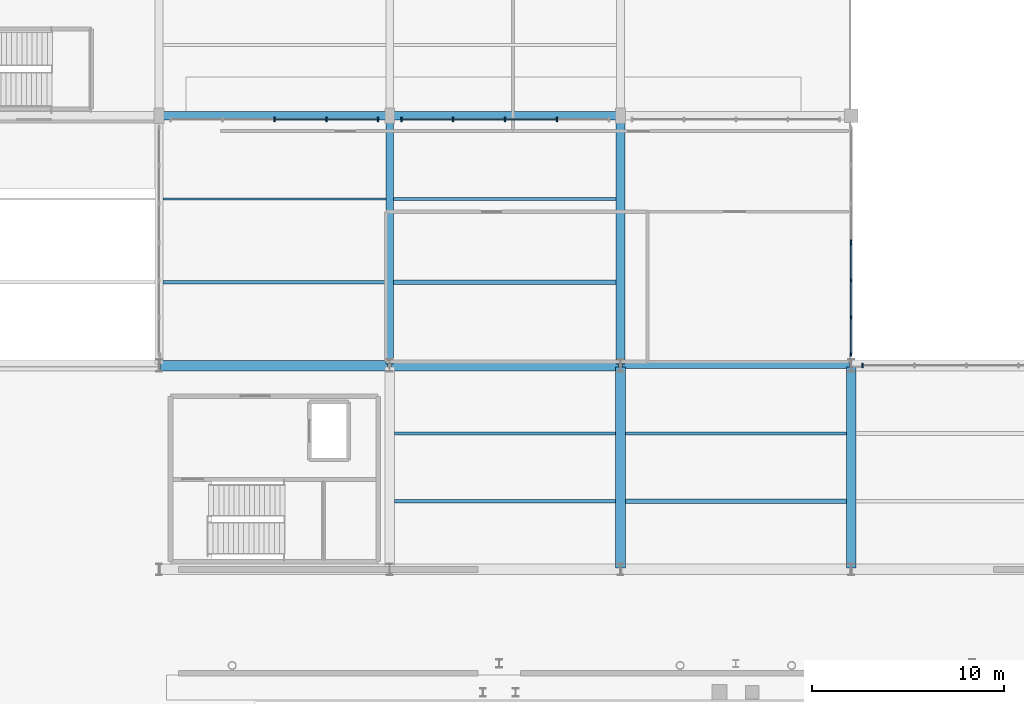
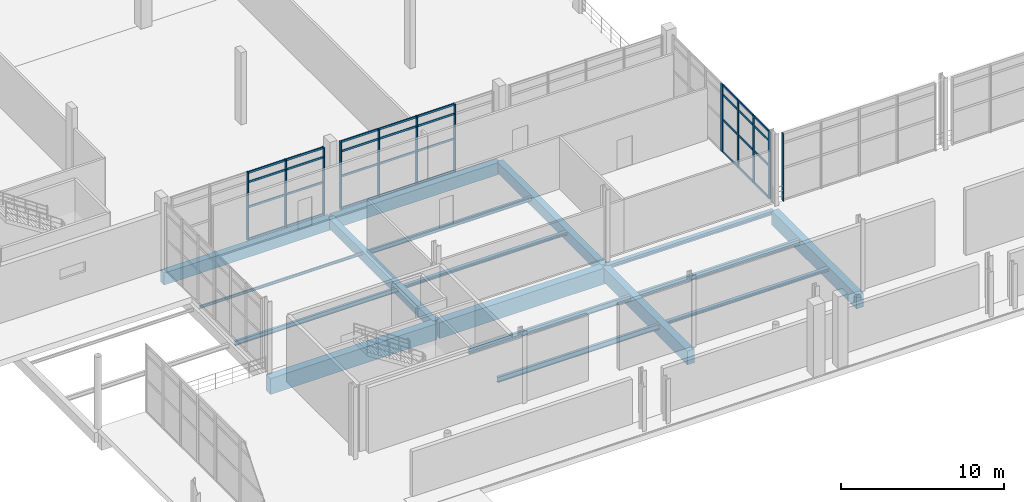
# One storey, part 26 of 85: 45 members, 17 beams, 5 elements without a shape of their own.
"""IFC4 building model written with IfcOpenShell, lengths in metres."""

from ifc_helpers import new_model, si_unit, direction, frame, origin, origin_2d, place, context, subcontext, project, spatial, rectangle, i_section, extrude, material, material_profile, profile_set, type_object, element, aggregate, save


model = new_model("IFC4")

# Units and contexts
model_context = context("Model", 3, precision=1e-05, world=origin(), true_north=direction((0.0, 1.0)))
body_context = subcontext(model_context, "Body", "Model", "MODEL_VIEW")
ifc_project = project(units=[si_unit("LENGTHUNIT", "METRE"), si_unit("AREAUNIT", "SQUARE_METRE"), si_unit("VOLUMEUNIT", "CUBIC_METRE"), si_unit("PLANEANGLEUNIT", "RADIAN"), si_unit("MASSUNIT", "GRAM", prefix="KILO"), si_unit("THERMODYNAMICTEMPERATUREUNIT", "KELVIN"), si_unit("POWERUNIT", "WATT")], contexts=[model_context])

# Site, building, storey
site_placement = place(None, origin())
site = spatial("IfcSite", under=ifc_project, at=site_placement, CompositionType="ELEMENT")
building_placement = place(site_placement, origin())
building = spatial("IfcBuilding", under=site, at=building_placement, Name="Solmara Park Aquatics Centre", CompositionType="ELEMENT")
storey_placement = place(building_placement, origin())
storey = spatial("IfcBuildingStorey", under=building, at=storey_placement, Name="L00", CompositionType="ELEMENT", Elevation=0.0)

# Curtain wall, member
ifc_material_1 = material(Name="Anodised Aluminium Curtain Wall Framing", Category="aluminium")
curtain_wall_type = type_object("IfcCurtainWallType", Name="ARC-CW-SYS02", PredefinedType="USERDEFINED", material=ifc_material_1)
curtain_wall_1_placement = place(storey_placement, origin())
curtain_wall_1 = element("IfcCurtainWall", 1, at=curtain_wall_1_placement, inside=storey, type_object=curtain_wall_type, Name="Curtain Wall CW-021", ObjectType="CURTAIN WALL", PredefinedType="USERDEFINED")
ifc_material_2 = material(Name="Anodised Aluminium Alloy 6063-T6", Category="aluminium")
ifc_material_profile_1 = material_profile(ifc_material_2, rectangle(XDim=0.074951171875, YDim=0.219970703125, at=origin_2d()), Name="ALU MULLION 75x220")
ifc_profile_set_1 = profile_set([ifc_material_profile_1], Name="Anodised Aluminium Alloy 6063-T6")
member_type_1 = type_object("IfcMemberType", Name="ARC-CWM-75x220", PredefinedType="MULLION", material=ifc_profile_set_1)
member_1_placement = place(storey_placement, frame((61.199951171875, 72.60009765625, 0.0), z_axis=(0.0, 0.0, 1.0), x_axis=(1.0, 0.0, 0.0)))
member_1 = element("IfcMember", 2, at=member_1_placement, type_object=member_type_1, Name="CW-021 mullion 1", PredefinedType="MULLION", context=body_context, shape_type="SweptSolid", body=[
    extrude(rectangle(XDim=0.074951171875, YDim=0.219970703125, at=origin_2d()), origin(), (0.0, 0.0, 1.0), 5.080078125),
])
aggregate(curtain_wall_1, [member_1])

# Curtain wall, members
curtain_wall_2_placement = place(storey_placement, origin())
curtain_wall_2 = element("IfcCurtainWall", 3, at=curtain_wall_2_placement, inside=storey, type_object=curtain_wall_type, Name="Curtain Wall CW-096", ObjectType="CURTAIN WALL", PredefinedType="USERDEFINED")
member_2_placement = place(storey_placement, frame((60.60009765625, 73.199951171875, 0.0), z_axis=(0.0, 0.0, 1.0), x_axis=(1.0, 0.0, 0.0)))
member_2 = element("IfcMember", 4, at=member_2_placement, type_object=member_type_1, Name="CW-096 mullion 1", PredefinedType="MULLION", context=body_context, shape_type="SweptSolid", body=[
    extrude(rectangle(XDim=0.074951171875, YDim=0.219970703125, at=origin_2d()), origin(), (0.0, 0.0, 1.0), 5.080078125),
])
member_3_placement = place(storey_placement, frame((60.60009765625, 75.1201171875, 0.0), z_axis=(0.0, 0.0, 1.0), x_axis=(1.0, 0.0, 0.0)))
member_3 = element("IfcMember", 5, at=member_3_placement, type_object=member_type_1, Name="CW-096 mullion 2", PredefinedType="MULLION", context=body_context, shape_type="SweptSolid", body=[
    extrude(rectangle(XDim=0.074951171875, YDim=0.219970703125, at=origin_2d()), origin(), (0.0, 0.0, 1.0), 5.080078125),
])
member_4_placement = place(storey_placement, frame((60.60009765625, 77.0400390625, 0.0), z_axis=(0.0, 0.0, 1.0), x_axis=(1.0, 0.0, 0.0)))
member_4 = element("IfcMember", 6, at=member_4_placement, type_object=member_type_1, Name="CW-096 mullion 3", PredefinedType="MULLION", context=body_context, shape_type="SweptSolid", body=[
    extrude(rectangle(XDim=0.074951171875, YDim=0.219970703125, at=origin_2d()), origin(), (0.0, 0.0, 1.0), 5.080078125),
])
member_5_placement = place(storey_placement, frame((60.60009765625, 78.9599609375, 0.0), z_axis=(0.0, 0.0, 1.0), x_axis=(1.0, 0.0, 0.0)))
member_5 = element("IfcMember", 7, at=member_5_placement, type_object=member_type_1, Name="CW-096 mullion 4", PredefinedType="MULLION", context=body_context, shape_type="SweptSolid", body=[
    extrude(rectangle(XDim=0.074951171875, YDim=0.219970703125, at=origin_2d()), origin(), (0.0, 0.0, 1.0), 5.080078125),
])

# Curtain wall, member
curtain_wall_3_placement = place(storey_placement, origin())
curtain_wall_3 = element("IfcCurtainWall", 8, at=curtain_wall_3_placement, inside=storey, type_object=curtain_wall_type, Name="Curtain Wall CW-100", ObjectType="CURTAIN WALL", PredefinedType="USERDEFINED")
member_6_placement = place(storey_placement, frame((60.60009765625, 79.0400390625, 0.0), z_axis=(0.0, 0.0, 1.0), x_axis=(1.0, 0.0, 0.0)))
member_6 = element("IfcMember", 9, at=member_6_placement, type_object=member_type_1, Name="CW-100 mullion 1", PredefinedType="MULLION", context=body_context, shape_type="SweptSolid", body=[
    extrude(rectangle(XDim=0.074951171875, YDim=0.219970703125, at=origin_2d()), origin(), (0.0, 0.0, 1.0), 5.080078125),
])
aggregate(curtain_wall_3, [member_6])

# Curtain wall, members
curtain_wall_4_placement = place(storey_placement, origin())
curtain_wall_4 = element("IfcCurtainWall", 10, at=curtain_wall_4_placement, inside=storey, type_object=curtain_wall_type, Name="Curtain Wall CW-107", ObjectType="CURTAIN WALL", PredefinedType="USERDEFINED")
member_7_placement = place(storey_placement, frame((30.60009765625, 85.39990234375, 0.0), z_axis=(0.0, 0.0, 1.0), x_axis=(1.0, 0.0, 0.0)))
member_7 = element("IfcMember", 11, at=member_7_placement, type_object=member_type_1, Name="CW-107 mullion 3", PredefinedType="MULLION", context=body_context, shape_type="SweptSolid", body=[
    extrude(rectangle(XDim=0.074951171875, YDim=0.219970703125, at=origin_2d()), origin(), (0.0, 0.0, 1.0), 5.080078125),
])
member_8_placement = place(storey_placement, frame((33.300048828125, 85.39990234375, 0.0), z_axis=(0.0, 0.0, 1.0), x_axis=(1.0, 0.0, 0.0)))
member_8 = element("IfcMember", 12, at=member_8_placement, type_object=member_type_1, Name="CW-107 mullion 4", PredefinedType="MULLION", context=body_context, shape_type="SweptSolid", body=[
    extrude(rectangle(XDim=0.074951171875, YDim=0.219970703125, at=origin_2d()), origin(), (0.0, 0.0, 1.0), 5.080078125),
])
member_9_placement = place(storey_placement, frame((36.0, 85.39990234375, 0.0), z_axis=(0.0, 0.0, 1.0), x_axis=(1.0, 0.0, 0.0)))
member_9 = element("IfcMember", 13, at=member_9_placement, type_object=member_type_1, Name="CW-107 mullion 5", PredefinedType="MULLION", context=body_context, shape_type="SweptSolid", body=[
    extrude(rectangle(XDim=0.074951171875, YDim=0.219970703125, at=origin_2d()), origin(), (0.0, 0.0, 1.0), 5.080078125),
])

curtain_wall_5_placement = place(storey_placement, origin())
curtain_wall_5 = element("IfcCurtainWall", 14, at=curtain_wall_5_placement, inside=storey, type_object=curtain_wall_type, Name="Curtain Wall CW-108", ObjectType="CURTAIN WALL", PredefinedType="USERDEFINED")
member_10_placement = place(storey_placement, frame((37.199951171875, 85.39990234375, 0.0), z_axis=(0.0, 0.0, 1.0), x_axis=(1.0, 0.0, 0.0)))
member_10 = element("IfcMember", 15, at=member_10_placement, type_object=member_type_1, Name="CW-108 mullion 1", PredefinedType="MULLION", context=body_context, shape_type="SweptSolid", body=[
    extrude(rectangle(XDim=0.074951171875, YDim=0.219970703125, at=origin_2d()), origin(), (0.0, 0.0, 1.0), 5.080078125),
])
member_11_placement = place(storey_placement, frame((39.89990234375, 85.39990234375, 0.0), z_axis=(0.0, 0.0, 1.0), x_axis=(1.0, 0.0, 0.0)))
member_11 = element("IfcMember", 16, at=member_11_placement, type_object=member_type_1, Name="CW-108 mullion 2", PredefinedType="MULLION", context=body_context, shape_type="SweptSolid", body=[
    extrude(rectangle(XDim=0.074951171875, YDim=0.219970703125, at=origin_2d()), origin(), (0.0, 0.0, 1.0), 5.080078125),
])
member_12_placement = place(storey_placement, frame((42.60009765625, 85.39990234375, 0.0), z_axis=(0.0, 0.0, 1.0), x_axis=(1.0, 0.0, 0.0)))
member_12 = element("IfcMember", 17, at=member_12_placement, type_object=member_type_1, Name="CW-108 mullion 3", PredefinedType="MULLION", context=body_context, shape_type="SweptSolid", body=[
    extrude(rectangle(XDim=0.074951171875, YDim=0.219970703125, at=origin_2d()), origin(), (0.0, 0.0, 1.0), 5.080078125),
])
member_13_placement = place(storey_placement, frame((45.300048828125, 85.39990234375, 0.0), z_axis=(0.0, 0.0, 1.0), x_axis=(1.0, 0.0, 0.0)))
member_13 = element("IfcMember", 18, at=member_13_placement, type_object=member_type_1, Name="CW-108 mullion 4", PredefinedType="MULLION", context=body_context, shape_type="SweptSolid", body=[
    extrude(rectangle(XDim=0.074951171875, YDim=0.219970703125, at=origin_2d()), origin(), (0.0, 0.0, 1.0), 5.080078125),
])

# Member
ifc_material_profile_2 = material_profile(ifc_material_2, rectangle(XDim=0.074951171875, YDim=0.14990234375, at=origin_2d()), Name="ALU TRANSOM 75x150")
ifc_profile_set_2 = profile_set([ifc_material_profile_2], Name="Anodised Aluminium Alloy 6063-T6")
member_type_2 = type_object("IfcMemberType", Name="ARC-CWT-75x150", PredefinedType="USERDEFINED", material=ifc_profile_set_2)
member_14_placement = place(storey_placement, frame((60.60009765625, 73.219970703125, 0.0400390625), z_axis=(0.0, 1.0, 0.0), x_axis=(-1.0, 0.0, 0.0)))
member_14 = element("IfcMember", 19, at=member_14_placement, type_object=member_type_2, Name="CW-096 transom 1", ObjectType="TRANSOM", PredefinedType="USERDEFINED", context=body_context, shape_type="SweptSolid", body=[
    extrude(rectangle(XDim=0.074951171875, YDim=0.14990234375, at=origin_2d()), origin(), (0.0, 0.0, 1.0), 1.840087890625),
])

member_15_placement = place(storey_placement, frame((60.60009765625, 73.219970703125, 2.449951171875), z_axis=(0.0, 1.0, 0.0), x_axis=(-1.0, 0.0, 0.0)))
member_15 = element("IfcMember", 20, at=member_15_placement, type_object=member_type_2, Name="CW-096 transom 2", ObjectType="TRANSOM", PredefinedType="USERDEFINED", context=body_context, shape_type="SweptSolid", body=[
    extrude(rectangle(XDim=0.074951171875, YDim=0.14990234375, at=origin_2d()), origin(), (0.0, 0.0, 1.0), 1.840087890625),
])

member_16_placement = place(storey_placement, frame((60.60009765625, 73.219970703125, 4.330078125), z_axis=(0.0, 1.0, 0.0), x_axis=(-1.0, 0.0, 0.0)))
member_16 = element("IfcMember", 21, at=member_16_placement, type_object=member_type_2, Name="CW-096 transom 3", ObjectType="TRANSOM", PredefinedType="USERDEFINED", context=body_context, shape_type="SweptSolid", body=[
    extrude(rectangle(XDim=0.074951171875, YDim=0.14990234375, at=origin_2d()), origin(), (0.0, 0.0, 1.0), 1.840087890625),
])

member_17_placement = place(storey_placement, frame((60.60009765625, 73.219970703125, 5.0400390625), z_axis=(0.0, 1.0, 0.0), x_axis=(-1.0, 0.0, 0.0)))
member_17 = element("IfcMember", 22, at=member_17_placement, type_object=member_type_2, Name="CW-096 transom 4", ObjectType="TRANSOM", PredefinedType="USERDEFINED", context=body_context, shape_type="SweptSolid", body=[
    extrude(rectangle(XDim=0.074951171875, YDim=0.14990234375, at=origin_2d()), origin(), (0.0, 0.0, 1.0), 1.840087890625),
])

member_18_placement = place(storey_placement, frame((60.60009765625, 75.139892578125, 0.0400390625), z_axis=(0.0, 1.0, 0.0), x_axis=(-1.0, 0.0, 0.0)))
member_18 = element("IfcMember", 23, at=member_18_placement, type_object=member_type_2, Name="CW-096 transom 5", ObjectType="TRANSOM", PredefinedType="USERDEFINED", context=body_context, shape_type="SweptSolid", body=[
    extrude(rectangle(XDim=0.074951171875, YDim=0.14990234375, at=origin_2d()), origin(), (0.0, 0.0, 1.0), 1.840087890625),
])

member_19_placement = place(storey_placement, frame((60.60009765625, 75.139892578125, 2.449951171875), z_axis=(0.0, 1.0, 0.0), x_axis=(-1.0, 0.0, 0.0)))
member_19 = element("IfcMember", 24, at=member_19_placement, type_object=member_type_2, Name="CW-096 transom 6", ObjectType="TRANSOM", PredefinedType="USERDEFINED", context=body_context, shape_type="SweptSolid", body=[
    extrude(rectangle(XDim=0.074951171875, YDim=0.14990234375, at=origin_2d()), origin(), (0.0, 0.0, 1.0), 1.840087890625),
])

member_20_placement = place(storey_placement, frame((60.60009765625, 75.139892578125, 4.330078125), z_axis=(0.0, 1.0, 0.0), x_axis=(-1.0, 0.0, 0.0)))
member_20 = element("IfcMember", 25, at=member_20_placement, type_object=member_type_2, Name="CW-096 transom 7", ObjectType="TRANSOM", PredefinedType="USERDEFINED", context=body_context, shape_type="SweptSolid", body=[
    extrude(rectangle(XDim=0.074951171875, YDim=0.14990234375, at=origin_2d()), origin(), (0.0, 0.0, 1.0), 1.840087890625),
])

member_21_placement = place(storey_placement, frame((60.60009765625, 75.139892578125, 5.0400390625), z_axis=(0.0, 1.0, 0.0), x_axis=(-1.0, 0.0, 0.0)))
member_21 = element("IfcMember", 26, at=member_21_placement, type_object=member_type_2, Name="CW-096 transom 8", ObjectType="TRANSOM", PredefinedType="USERDEFINED", context=body_context, shape_type="SweptSolid", body=[
    extrude(rectangle(XDim=0.074951171875, YDim=0.14990234375, at=origin_2d()), origin(), (0.0, 0.0, 1.0), 1.840087890625),
])

member_22_placement = place(storey_placement, frame((60.60009765625, 77.06005859375, 0.0400390625), z_axis=(0.0, 1.0, 0.0), x_axis=(-1.0, 0.0, 0.0)))
member_22 = element("IfcMember", 27, at=member_22_placement, type_object=member_type_2, Name="CW-096 transom 9", ObjectType="TRANSOM", PredefinedType="USERDEFINED", context=body_context, shape_type="SweptSolid", body=[
    extrude(rectangle(XDim=0.074951171875, YDim=0.14990234375, at=origin_2d()), origin(), (0.0, 0.0, 1.0), 1.83984375),
])

member_23_placement = place(storey_placement, frame((60.60009765625, 77.06005859375, 2.449951171875), z_axis=(0.0, 1.0, 0.0), x_axis=(-1.0, 0.0, 0.0)))
member_23 = element("IfcMember", 28, at=member_23_placement, type_object=member_type_2, Name="CW-096 transom 10", ObjectType="TRANSOM", PredefinedType="USERDEFINED", context=body_context, shape_type="SweptSolid", body=[
    extrude(rectangle(XDim=0.074951171875, YDim=0.14990234375, at=origin_2d()), origin(), (0.0, 0.0, 1.0), 1.83984375),
])

member_24_placement = place(storey_placement, frame((60.60009765625, 77.06005859375, 4.330078125), z_axis=(0.0, 1.0, 0.0), x_axis=(-1.0, 0.0, 0.0)))
member_24 = element("IfcMember", 29, at=member_24_placement, type_object=member_type_2, Name="CW-096 transom 11", ObjectType="TRANSOM", PredefinedType="USERDEFINED", context=body_context, shape_type="SweptSolid", body=[
    extrude(rectangle(XDim=0.074951171875, YDim=0.14990234375, at=origin_2d()), origin(), (0.0, 0.0, 1.0), 1.83984375),
])

member_25_placement = place(storey_placement, frame((60.60009765625, 77.06005859375, 5.0400390625), z_axis=(0.0, 1.0, 0.0), x_axis=(-1.0, 0.0, 0.0)))
member_25 = element("IfcMember", 30, at=member_25_placement, type_object=member_type_2, Name="CW-096 transom 12", ObjectType="TRANSOM", PredefinedType="USERDEFINED", context=body_context, shape_type="SweptSolid", body=[
    extrude(rectangle(XDim=0.074951171875, YDim=0.14990234375, at=origin_2d()), origin(), (0.0, 0.0, 1.0), 1.83984375),
])

aggregate(curtain_wall_2, [member_2, member_3, member_4, member_5, member_14, member_15, member_16, member_17, member_18, member_19, member_20, member_21, member_22, member_23, member_24, member_25])

member_26_placement = place(storey_placement, frame((30.6201171875, 85.39990234375, 0.0400390625), z_axis=(1.0, 0.0, 0.0), x_axis=(0.0, 1.0, 0.0)))
member_26 = element("IfcMember", 31, at=member_26_placement, type_object=member_type_2, Name="CW-107 transom 9", ObjectType="TRANSOM", PredefinedType="USERDEFINED", context=body_context, shape_type="SweptSolid", body=[
    extrude(rectangle(XDim=0.074951171875, YDim=0.14990234375, at=origin_2d()), origin(), (0.0, 0.0, 1.0), 2.619873046875),
])

member_27_placement = place(storey_placement, frame((30.6201171875, 85.39990234375, 2.449951171875), z_axis=(1.0, 0.0, 0.0), x_axis=(0.0, 1.0, 0.0)))
member_27 = element("IfcMember", 32, at=member_27_placement, type_object=member_type_2, Name="CW-107 transom 10", ObjectType="TRANSOM", PredefinedType="USERDEFINED", context=body_context, shape_type="SweptSolid", body=[
    extrude(rectangle(XDim=0.074951171875, YDim=0.14990234375, at=origin_2d()), origin(), (0.0, 0.0, 1.0), 2.619873046875),
])

member_28_placement = place(storey_placement, frame((30.6201171875, 85.39990234375, 4.330078125), z_axis=(1.0, 0.0, 0.0), x_axis=(0.0, 1.0, 0.0)))
member_28 = element("IfcMember", 33, at=member_28_placement, type_object=member_type_2, Name="CW-107 transom 11", ObjectType="TRANSOM", PredefinedType="USERDEFINED", context=body_context, shape_type="SweptSolid", body=[
    extrude(rectangle(XDim=0.074951171875, YDim=0.14990234375, at=origin_2d()), origin(), (0.0, 0.0, 1.0), 2.619873046875),
])

member_29_placement = place(storey_placement, frame((30.6201171875, 85.39990234375, 5.0400390625), z_axis=(1.0, 0.0, 0.0), x_axis=(0.0, 1.0, 0.0)))
member_29 = element("IfcMember", 34, at=member_29_placement, type_object=member_type_2, Name="CW-107 transom 12", ObjectType="TRANSOM", PredefinedType="USERDEFINED", context=body_context, shape_type="SweptSolid", body=[
    extrude(rectangle(XDim=0.074951171875, YDim=0.14990234375, at=origin_2d()), origin(), (0.0, 0.0, 1.0), 2.619873046875),
])

member_30_placement = place(storey_placement, frame((33.320068359375, 85.39990234375, 0.0400390625), z_axis=(1.0, 0.0, 0.0), x_axis=(0.0, 1.0, 0.0)))
member_30 = element("IfcMember", 35, at=member_30_placement, type_object=member_type_2, Name="CW-107 transom 13", ObjectType="TRANSOM", PredefinedType="USERDEFINED", context=body_context, shape_type="SweptSolid", body=[
    extrude(rectangle(XDim=0.074951171875, YDim=0.14990234375, at=origin_2d()), origin(), (0.0, 0.0, 1.0), 2.619873046875),
])

member_31_placement = place(storey_placement, frame((33.320068359375, 85.39990234375, 2.449951171875), z_axis=(1.0, 0.0, 0.0), x_axis=(0.0, 1.0, 0.0)))
member_31 = element("IfcMember", 36, at=member_31_placement, type_object=member_type_2, Name="CW-107 transom 14", ObjectType="TRANSOM", PredefinedType="USERDEFINED", context=body_context, shape_type="SweptSolid", body=[
    extrude(rectangle(XDim=0.074951171875, YDim=0.14990234375, at=origin_2d()), origin(), (0.0, 0.0, 1.0), 2.619873046875),
])

member_32_placement = place(storey_placement, frame((33.320068359375, 85.39990234375, 4.330078125), z_axis=(1.0, 0.0, 0.0), x_axis=(0.0, 1.0, 0.0)))
member_32 = element("IfcMember", 37, at=member_32_placement, type_object=member_type_2, Name="CW-107 transom 15", ObjectType="TRANSOM", PredefinedType="USERDEFINED", context=body_context, shape_type="SweptSolid", body=[
    extrude(rectangle(XDim=0.074951171875, YDim=0.14990234375, at=origin_2d()), origin(), (0.0, 0.0, 1.0), 2.619873046875),
])

member_33_placement = place(storey_placement, frame((33.320068359375, 85.39990234375, 5.0400390625), z_axis=(1.0, 0.0, 0.0), x_axis=(0.0, 1.0, 0.0)))
member_33 = element("IfcMember", 38, at=member_33_placement, type_object=member_type_2, Name="CW-107 transom 16", ObjectType="TRANSOM", PredefinedType="USERDEFINED", context=body_context, shape_type="SweptSolid", body=[
    extrude(rectangle(XDim=0.074951171875, YDim=0.14990234375, at=origin_2d()), origin(), (0.0, 0.0, 1.0), 2.619873046875),
])

aggregate(curtain_wall_4, [member_7, member_8, member_9, member_26, member_27, member_28, member_29, member_30, member_31, member_32, member_33])

member_34_placement = place(storey_placement, frame((37.219970703125, 85.39990234375, 0.0400390625), z_axis=(1.0, 0.0, 0.0), x_axis=(0.0, 1.0, 0.0)))
member_34 = element("IfcMember", 39, at=member_34_placement, type_object=member_type_2, Name="CW-108 transom 1", ObjectType="TRANSOM", PredefinedType="USERDEFINED", context=body_context, shape_type="SweptSolid", body=[
    extrude(rectangle(XDim=0.074951171875, YDim=0.14990234375, at=origin_2d()), origin(), (0.0, 0.0, 1.0), 2.6201171875),
])

member_35_placement = place(storey_placement, frame((37.219970703125, 85.39990234375, 2.449951171875), z_axis=(1.0, 0.0, 0.0), x_axis=(0.0, 1.0, 0.0)))
member_35 = element("IfcMember", 40, at=member_35_placement, type_object=member_type_2, Name="CW-108 transom 2", ObjectType="TRANSOM", PredefinedType="USERDEFINED", context=body_context, shape_type="SweptSolid", body=[
    extrude(rectangle(XDim=0.074951171875, YDim=0.14990234375, at=origin_2d()), origin(), (0.0, 0.0, 1.0), 2.6201171875),
])

member_36_placement = place(storey_placement, frame((37.219970703125, 85.39990234375, 4.330078125), z_axis=(1.0, 0.0, 0.0), x_axis=(0.0, 1.0, 0.0)))
member_36 = element("IfcMember", 41, at=member_36_placement, type_object=member_type_2, Name="CW-108 transom 3", ObjectType="TRANSOM", PredefinedType="USERDEFINED", context=body_context, shape_type="SweptSolid", body=[
    extrude(rectangle(XDim=0.074951171875, YDim=0.14990234375, at=origin_2d()), origin(), (0.0, 0.0, 1.0), 2.6201171875),
])

member_37_placement = place(storey_placement, frame((37.219970703125, 85.39990234375, 5.0400390625), z_axis=(1.0, 0.0, 0.0), x_axis=(0.0, 1.0, 0.0)))
member_37 = element("IfcMember", 42, at=member_37_placement, type_object=member_type_2, Name="CW-108 transom 4", ObjectType="TRANSOM", PredefinedType="USERDEFINED", context=body_context, shape_type="SweptSolid", body=[
    extrude(rectangle(XDim=0.074951171875, YDim=0.14990234375, at=origin_2d()), origin(), (0.0, 0.0, 1.0), 2.6201171875),
])

member_38_placement = place(storey_placement, frame((39.919921875, 85.39990234375, 0.0400390625), z_axis=(1.0, 0.0, 0.0), x_axis=(0.0, 1.0, 0.0)))
member_38 = element("IfcMember", 43, at=member_38_placement, type_object=member_type_2, Name="CW-108 transom 5", ObjectType="TRANSOM", PredefinedType="USERDEFINED", context=body_context, shape_type="SweptSolid", body=[
    extrude(rectangle(XDim=0.074951171875, YDim=0.14990234375, at=origin_2d()), origin(), (0.0, 0.0, 1.0), 2.6201171875),
])

member_39_placement = place(storey_placement, frame((39.919921875, 85.39990234375, 2.449951171875), z_axis=(1.0, 0.0, 0.0), x_axis=(0.0, 1.0, 0.0)))
member_39 = element("IfcMember", 44, at=member_39_placement, type_object=member_type_2, Name="CW-108 transom 6", ObjectType="TRANSOM", PredefinedType="USERDEFINED", context=body_context, shape_type="SweptSolid", body=[
    extrude(rectangle(XDim=0.074951171875, YDim=0.14990234375, at=origin_2d()), origin(), (0.0, 0.0, 1.0), 2.6201171875),
])

member_40_placement = place(storey_placement, frame((39.919921875, 85.39990234375, 4.330078125), z_axis=(1.0, 0.0, 0.0), x_axis=(0.0, 1.0, 0.0)))
member_40 = element("IfcMember", 45, at=member_40_placement, type_object=member_type_2, Name="CW-108 transom 7", ObjectType="TRANSOM", PredefinedType="USERDEFINED", context=body_context, shape_type="SweptSolid", body=[
    extrude(rectangle(XDim=0.074951171875, YDim=0.14990234375, at=origin_2d()), origin(), (0.0, 0.0, 1.0), 2.6201171875),
])

member_41_placement = place(storey_placement, frame((39.919921875, 85.39990234375, 5.0400390625), z_axis=(1.0, 0.0, 0.0), x_axis=(0.0, 1.0, 0.0)))
member_41 = element("IfcMember", 46, at=member_41_placement, type_object=member_type_2, Name="CW-108 transom 8", ObjectType="TRANSOM", PredefinedType="USERDEFINED", context=body_context, shape_type="SweptSolid", body=[
    extrude(rectangle(XDim=0.074951171875, YDim=0.14990234375, at=origin_2d()), origin(), (0.0, 0.0, 1.0), 2.6201171875),
])

member_42_placement = place(storey_placement, frame((42.6201171875, 85.39990234375, 0.0400390625), z_axis=(1.0, 0.0, 0.0), x_axis=(0.0, 1.0, 0.0)))
member_42 = element("IfcMember", 47, at=member_42_placement, type_object=member_type_2, Name="CW-108 transom 9", ObjectType="TRANSOM", PredefinedType="USERDEFINED", context=body_context, shape_type="SweptSolid", body=[
    extrude(rectangle(XDim=0.074951171875, YDim=0.14990234375, at=origin_2d()), origin(), (0.0, 0.0, 1.0), 2.619873046875),
])

member_43_placement = place(storey_placement, frame((42.6201171875, 85.39990234375, 2.449951171875), z_axis=(1.0, 0.0, 0.0), x_axis=(0.0, 1.0, 0.0)))
member_43 = element("IfcMember", 48, at=member_43_placement, type_object=member_type_2, Name="CW-108 transom 10", ObjectType="TRANSOM", PredefinedType="USERDEFINED", context=body_context, shape_type="SweptSolid", body=[
    extrude(rectangle(XDim=0.074951171875, YDim=0.14990234375, at=origin_2d()), origin(), (0.0, 0.0, 1.0), 2.619873046875),
])

member_44_placement = place(storey_placement, frame((42.6201171875, 85.39990234375, 4.330078125), z_axis=(1.0, 0.0, 0.0), x_axis=(0.0, 1.0, 0.0)))
member_44 = element("IfcMember", 49, at=member_44_placement, type_object=member_type_2, Name="CW-108 transom 11", ObjectType="TRANSOM", PredefinedType="USERDEFINED", context=body_context, shape_type="SweptSolid", body=[
    extrude(rectangle(XDim=0.074951171875, YDim=0.14990234375, at=origin_2d()), origin(), (0.0, 0.0, 1.0), 2.619873046875),
])

member_45_placement = place(storey_placement, frame((42.6201171875, 85.39990234375, 5.0400390625), z_axis=(1.0, 0.0, 0.0), x_axis=(0.0, 1.0, 0.0)))
member_45 = element("IfcMember", 50, at=member_45_placement, type_object=member_type_2, Name="CW-108 transom 12", ObjectType="TRANSOM", PredefinedType="USERDEFINED", context=body_context, shape_type="SweptSolid", body=[
    extrude(rectangle(XDim=0.074951171875, YDim=0.14990234375, at=origin_2d()), origin(), (0.0, 0.0, 1.0), 2.619873046875),
])

aggregate(curtain_wall_5, [member_10, member_11, member_12, member_13, member_34, member_35, member_36, member_37, member_38, member_39, member_40, member_41, member_42, member_43, member_44, member_45])

# Beams
ifc_material_3 = material(Name="Concrete C40/50", Category="concrete")
ifc_material_profile_3 = material_profile(ifc_material_3, rectangle(XDim=0.39990234375, YDim=0.75, at=origin_2d()), Name="RC 400x750")
ifc_profile_set_3 = profile_set([ifc_material_profile_3], Name="Concrete C40/50")
beam_type_1 = type_object("IfcBeamType", Name="STR-BM-RC400x750", PredefinedType="BEAM", material=ifc_profile_set_3)
beam_1_placement = place(storey_placement, frame((36.60009765625, 72.679931640625, -0.794921875), z_axis=(0.0, 1.0, 0.0), x_axis=(-1.0, 0.0, 0.0)))
element("IfcBeam", 51, at=beam_1_placement, inside=storey, type_object=beam_type_1, Name="Girder BM-L00-0116", PredefinedType="BEAM", context=body_context, shape_type="SweptSolid", body=[
    extrude(rectangle(XDim=0.39990234375, YDim=0.75, at=origin_2d()), origin(), (0.0, 0.0, 1.0), 12.840087890625),
])
ifc_material_profile_4 = material_profile(ifc_material_3, rectangle(XDim=0.449951171875, YDim=0.800048828125, at=origin_2d()), Name="RC 450x800")
ifc_profile_set_4 = profile_set([ifc_material_profile_4], Name="Concrete C40/50")
beam_type_2 = type_object("IfcBeamType", Name="STR-BM-RC450x800", PredefinedType="BEAM", material=ifc_profile_set_4)
beam_2_placement = place(storey_placement, frame((48.60009765625, 72.679931640625, -0.820068359375), z_axis=(0.0, 1.0, 0.0), x_axis=(-1.0, 0.0, 0.0)))
element("IfcBeam", 52, at=beam_2_placement, inside=storey, type_object=beam_type_2, Name="Girder BM-L00-0119", PredefinedType="BEAM", context=body_context, shape_type="SweptSolid", body=[
    extrude(rectangle(XDim=0.449951171875, YDim=0.800048828125, at=origin_2d()), origin(), (0.0, 0.0, 1.0), 12.840087890625),
])
ifc_material_profile_5 = material_profile(ifc_material_3, rectangle(XDim=0.449951171875, YDim=0.89990234375, at=origin_2d()), Name="RC 450x900")
ifc_profile_set_5 = profile_set([ifc_material_profile_5], Name="Concrete C40/50")
beam_type_3 = type_object("IfcBeamType", Name="STR-BM-RC450x900", PredefinedType="BEAM", material=ifc_profile_set_5)
for number, where, z_axis, x_axis, name in (
    (53, (24.679931640625, 85.60009765625, -0.8701171875), (1.0, 0.0, 0.0), (0.0, 1.0, 0.0), "Girder BM-L00-0099"),
    (54, (36.679931640625, 85.60009765625, -0.8701171875), (1.0, 0.0, 0.0), (0.0, 1.0, 0.0), "Girder BM-L00-0100"),
):
    element("IfcBeam", number, at=place(storey_placement, frame(where, z_axis=z_axis, x_axis=x_axis)), inside=storey, type_object=beam_type_3, Name=name, PredefinedType="BEAM", context=body_context, shape_type="SweptSolid", body=[
        extrude(rectangle(XDim=0.449951171875, YDim=0.89990234375, at=origin_2d()), origin(), (0.0, 0.0, 1.0), 11.840087890625),
    ])
ifc_material_profile_6 = material_profile(ifc_material_3, rectangle(XDim=0.5, YDim=1.050048828125, at=origin_2d()), Name="RC 500x1050")
ifc_profile_set_6 = profile_set([ifc_material_profile_6], Name="Concrete C40/50")
beam_type_4 = type_object("IfcBeamType", Name="STR-BM-RC500x1050", PredefinedType="BEAM", material=ifc_profile_set_6)
for number, where, z_axis, x_axis, name in (
    (55, (48.60009765625, 62.080078125, -0.945068359375), (0.0, 1.0, 0.0), (-1.0, 0.0, 0.0), "Girder BM-L00-0024"),
    (56, (60.60009765625, 62.080078125, -0.945068359375), (0.0, 1.0, 0.0), (-1.0, 0.0, 0.0), "Girder BM-L00-0026"),
):
    element("IfcBeam", number, at=place(storey_placement, frame(where, z_axis=z_axis, x_axis=x_axis)), inside=storey, type_object=beam_type_4, Name=name, PredefinedType="BEAM", context=body_context, shape_type="SweptSolid", body=[
        extrude(rectangle(XDim=0.5, YDim=1.050048828125, at=origin_2d()), origin(), (0.0, 0.0, 1.0), 10.43994140625),
    ])
ifc_material_profile_7 = material_profile(ifc_material_3, rectangle(XDim=0.550048828125, YDim=1.199951171875, at=origin_2d()), Name="RC 550x1200")
ifc_profile_set_7 = profile_set([ifc_material_profile_7], Name="Concrete C40/50")
beam_type_5 = type_object("IfcBeamType", Name="STR-BM-RC550x1200", PredefinedType="BEAM", material=ifc_profile_set_7)
for number, where, z_axis, x_axis, name in (
    (57, (24.679931640625, 72.60009765625, -1.02001953125), (1.0, 0.0, 0.0), (0.0, 1.0, 0.0), "Girder BM-L00-0014"),
    (58, (36.679931640625, 72.60009765625, -1.02001953125), (1.0, 0.0, 0.0), (0.0, 1.0, 0.0), "Girder BM-L00-0015"),
):
    element("IfcBeam", number, at=place(storey_placement, frame(where, z_axis=z_axis, x_axis=x_axis)), inside=storey, type_object=beam_type_5, Name=name, PredefinedType="BEAM", context=body_context, shape_type="SweptSolid", body=[
        extrude(rectangle(XDim=0.550048828125, YDim=1.199951171875, at=origin_2d()), origin(), (0.0, 0.0, 1.0), 11.840087890625),
    ])
ifc_material_4 = material(Name="Structural Steel S355", Category="steel")
ifc_material_profile_8 = material_profile(ifc_material_4, i_section(OverallWidth=0.239990234375, OverallDepth=0.22998046875, WebThickness=0.007568359375, FlangeThickness=0.011962890625, FilletRadius=0.02099609375, at=origin_2d()), Name="HEA 240")
ifc_profile_set_8 = profile_set([ifc_material_profile_8], Name="Structural Steel S355")
beam_type_6 = type_object("IfcBeamType", Name="STR-JST-HEA240", PredefinedType="JOIST", material=ifc_profile_set_8)
beam_3_placement = place(storey_placement, frame((48.85009765625, 65.533203125, -0.534912109375), z_axis=(1.0, 0.0, 0.0), x_axis=(0.0, 1.0, 0.0)))
element("IfcBeam", 59, at=beam_3_placement, inside=storey, type_object=beam_type_6, Name="Floor Joist JST-L00-0009", PredefinedType="JOIST", context=body_context, shape_type="SweptSolid", body=[
    extrude(i_section(OverallWidth=0.239990234375, OverallDepth=0.22998046875, WebThickness=0.007568359375, FlangeThickness=0.011962890625, FilletRadius=0.02099609375, at=origin_2d()), origin(), (0.0, 0.0, 1.0), 11.5),
])
beam_4_placement = place(storey_placement, frame((36.800048828125, 76.933349609375, -0.534912109375), z_axis=(1.0, 0.0, 0.0), x_axis=(0.0, 1.0, 0.0)))
element("IfcBeam", 60, at=beam_4_placement, inside=storey, type_object=beam_type_6, Name="Floor Joist JST-L00-0069", PredefinedType="JOIST", context=body_context, shape_type="SweptSolid", body=[
    extrude(i_section(OverallWidth=0.239990234375, OverallDepth=0.22998046875, WebThickness=0.007568359375, FlangeThickness=0.011962890625, FilletRadius=0.02099609375, at=origin_2d()), origin(), (0.0, 0.0, 1.0), 11.574951171875),
])
ifc_material_profile_9 = material_profile(ifc_material_4, i_section(OverallWidth=0.10009765625, OverallDepth=0.199951171875, WebThickness=0.005615234375, FlangeThickness=0.008544921875, FilletRadius=0.011962890625, at=origin_2d()), Name="IPE 200")
ifc_profile_set_9 = profile_set([ifc_material_profile_9], Name="Structural Steel S355")
beam_type_7 = type_object("IfcBeamType", Name="STR-JST-IPE200", PredefinedType="JOIST", material=ifc_profile_set_9)
beam_5_placement = place(storey_placement, frame((24.800048828125, 81.2666015625, -0.52001953125), z_axis=(1.0, 0.0, 0.0), x_axis=(0.0, 1.0, 0.0)))
element("IfcBeam", 61, at=beam_5_placement, inside=storey, type_object=beam_type_7, Name="Floor Joist JST-L00-0064", PredefinedType="JOIST", context=body_context, shape_type="SweptSolid", body=[
    extrude(i_section(OverallWidth=0.10009765625, OverallDepth=0.199951171875, WebThickness=0.005615234375, FlangeThickness=0.008544921875, FilletRadius=0.011962890625, at=origin_2d()), origin(), (0.0, 0.0, 1.0), 11.599853515625),
])
ifc_material_profile_10 = material_profile(ifc_material_4, i_section(OverallWidth=0.159912109375, OverallDepth=0.330078125, WebThickness=0.007568359375, FlangeThickness=0.011474609375, FilletRadius=0.01806640625, at=origin_2d()), Name="IPE 330")
ifc_profile_set_10 = profile_set([ifc_material_profile_10], Name="Structural Steel S355")
beam_type_8 = type_object("IfcBeamType", Name="STR-JST-IPE330", PredefinedType="JOIST", material=ifc_profile_set_10)
beam_6_placement = place(storey_placement, frame((24.800048828125, 76.933349609375, -0.5849609375), z_axis=(1.0, 0.0, 0.0), x_axis=(0.0, 1.0, 0.0)))
element("IfcBeam", 62, at=beam_6_placement, inside=storey, type_object=beam_type_8, Name="Floor Joist JST-L00-0063", PredefinedType="JOIST", context=body_context, shape_type="SweptSolid", body=[
    extrude(i_section(OverallWidth=0.159912109375, OverallDepth=0.330078125, WebThickness=0.007568359375, FlangeThickness=0.011474609375, FilletRadius=0.01806640625, at=origin_2d()), origin(), (0.0, 0.0, 1.0), 11.599853515625),
])
beam_7_placement = place(storey_placement, frame((36.800048828125, 81.2666015625, -0.5849609375), z_axis=(1.0, 0.0, 0.0), x_axis=(0.0, 1.0, 0.0)))
element("IfcBeam", 63, at=beam_7_placement, inside=storey, type_object=beam_type_8, Name="Floor Joist JST-L00-0070", PredefinedType="JOIST", context=body_context, shape_type="SweptSolid", body=[
    extrude(i_section(OverallWidth=0.159912109375, OverallDepth=0.330078125, WebThickness=0.007568359375, FlangeThickness=0.011474609375, FilletRadius=0.01806640625, at=origin_2d()), origin(), (0.0, 0.0, 1.0), 11.574951171875),
])
ifc_material_profile_11 = material_profile(ifc_material_4, i_section(OverallWidth=0.179931640625, OverallDepth=0.39990234375, WebThickness=0.008544921875, FlangeThickness=0.013427734375, FilletRadius=0.02099609375, at=origin_2d()), Name="IPE 400")
ifc_profile_set_11 = profile_set([ifc_material_profile_11], Name="Structural Steel S355")
beam_type_9 = type_object("IfcBeamType", Name="STR-JST-IPE400", PredefinedType="JOIST", material=ifc_profile_set_11)
for number, where, z_axis, x_axis, name in (
    (64, (36.85009765625, 65.533203125, -0.6201171875), (1.0, 0.0, 0.0), (0.0, 1.0, 0.0), "Floor Joist JST-L00-0005"),
    (65, (36.85009765625, 69.066650390625, -0.6201171875), (1.0, 0.0, 0.0), (0.0, 1.0, 0.0), "Floor Joist JST-L00-0006"),
    (66, (48.85009765625, 69.066650390625, -0.6201171875), (1.0, 0.0, 0.0), (0.0, 1.0, 0.0), "Floor Joist JST-L00-0010"),
):
    element("IfcBeam", number, at=place(storey_placement, frame(where, z_axis=z_axis, x_axis=x_axis)), inside=storey, type_object=beam_type_9, Name=name, PredefinedType="JOIST", context=body_context, shape_type="SweptSolid", body=[
        extrude(i_section(OverallWidth=0.179931640625, OverallDepth=0.39990234375, WebThickness=0.008544921875, FlangeThickness=0.013427734375, FilletRadius=0.02099609375, at=origin_2d()), origin(), (0.0, 0.0, 1.0), 11.5),
    ])
ifc_material_profile_12 = material_profile(ifc_material_4, i_section(OverallWidth=0.300048828125, OverallDepth=0.2900390625, WebThickness=0.008544921875, FlangeThickness=0.013916015625, FilletRadius=0.027099609375, at=origin_2d()), Name="HEA 300")
ifc_profile_set_12 = profile_set([ifc_material_profile_12], Name="Structural Steel S355")
beam_type_10 = type_object("IfcBeamType", Name="STR-SPD-HEA300", PredefinedType="SPANDREL", material=ifc_profile_set_12)
beam_8_placement = place(storey_placement, frame((48.679931640625, 72.60009765625, -0.56494140625), z_axis=(1.0, 0.0, 0.0), x_axis=(0.0, 1.0, 0.0)))
element("IfcBeam", 67, at=beam_8_placement, inside=storey, type_object=beam_type_10, Name="Girder BM-L00-0016", PredefinedType="SPANDREL", context=body_context, shape_type="SweptSolid", body=[
    extrude(i_section(OverallWidth=0.300048828125, OverallDepth=0.2900390625, WebThickness=0.008544921875, FlangeThickness=0.013916015625, FilletRadius=0.027099609375, at=origin_2d()), origin(), (0.0, 0.0, 1.0), 11.840087890625),
])

save(model, "model.ifc")
